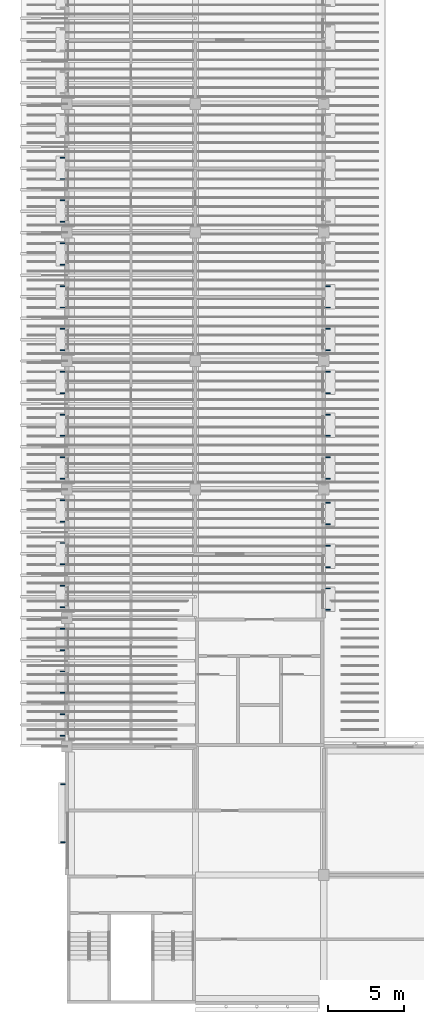
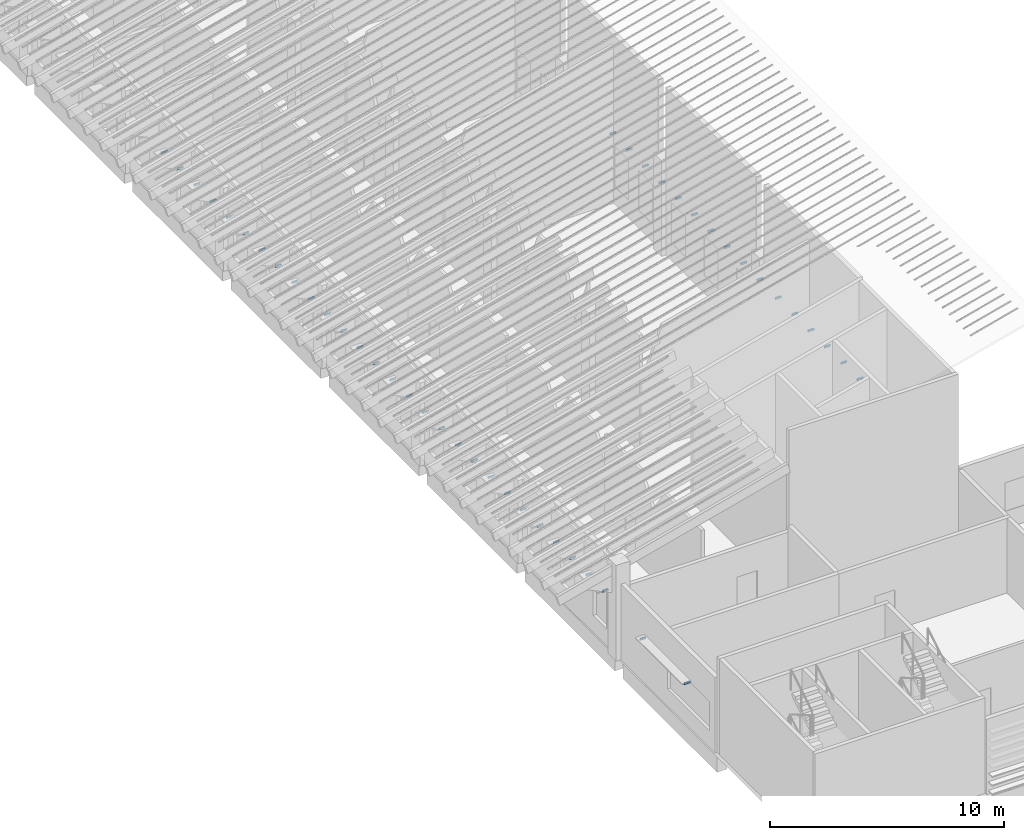
# One storey, part 34 of 82: 46 discrete accessories.
"""IFC4 building model written with IfcOpenShell, lengths in metres."""

from ifc_helpers import new_model, si_unit, direction, frame, origin, origin_2d, place, context, subcontext, project, spatial, rectangle, extrude, material, type_object, element, save


model = new_model("IFC4")

# Units and contexts
model_context = context("Model", 3, precision=1e-05, world=origin(), true_north=direction((0.0, 1.0)))
body_context = subcontext(model_context, "Body", "Model", "MODEL_VIEW")
ifc_project = project(units=[si_unit("LENGTHUNIT", "METRE"), si_unit("AREAUNIT", "SQUARE_METRE"), si_unit("VOLUMEUNIT", "CUBIC_METRE"), si_unit("PLANEANGLEUNIT", "RADIAN"), si_unit("MASSUNIT", "GRAM", prefix="KILO")], contexts=[model_context])

# Site, building, storey
site_placement = place(None, origin())
site = spatial("IfcSite", under=ifc_project, at=site_placement, CompositionType="ELEMENT")
building_placement = place(site_placement, origin())
building = spatial("IfcBuilding", under=site, at=building_placement, Name="Almond Square Museum", CompositionType="ELEMENT")
storey_placement = place(building_placement, frame((0.0, 0.0, 20.0)))
storey = spatial("IfcBuildingStorey", under=building, at=storey_placement, Name="L03", CompositionType="ELEMENT", Elevation=20.0)

# Discrete accessories
ifc_material = material(Name="Stainless steel", Category="steel")
discrete_accessory_type = type_object("IfcDiscreteAccessoryType", Name="Sun-shade blade bracket", PredefinedType="BRACKET", material=ifc_material)
for number, where, z_axis, x_axis, name in (
    (1, (23.072998046875, 25.72509765625, 2.9970703125), (0.0, 0.0, 1.0), (1.0, 0.0, 0.0), "Bracket sun-shade blade"),
    (2, (23.072998046875, 27.125, 2.9970703125), (0.0, 0.0, 1.0), (1.0, 0.0, 0.0), "Bracket sun-shade blade"),
    (3, (23.072998046875, 28.52490234375, 2.9970703125), (0.0, 0.0, 1.0), (1.0, 0.0, 0.0), "Bracket sun-shade blade"),
    (4, (23.072998046875, 29.925048828125, 2.9970703125), (0.0, 0.0, 1.0), (1.0, 0.0, 0.0), "Bracket sun-shade blade"),
    (5, (23.072998046875, 31.324951171875, 2.9970703125), (0.0, 0.0, 1.0), (1.0, 0.0, 0.0), "Bracket sun-shade blade"),
    (6, (23.072998046875, 32.72509765625, 2.9970703125), (0.0, 0.0, 1.0), (1.0, 0.0, 0.0), "Bracket sun-shade blade"),
    (7, (23.072998046875, 34.300048828125, 2.9970703125), (0.0, 0.0, 1.0), (1.0, 0.0, 0.0), "Bracket sun-shade blade"),
    (8, (23.072998046875, 35.699951171875, 2.9970703125), (0.0, 0.0, 1.0), (1.0, 0.0, 0.0), "Bracket sun-shade blade"),
    (9, (23.072998046875, 37.10009765625, 2.9970703125), (0.0, 0.0, 1.0), (1.0, 0.0, 0.0), "Bracket sun-shade blade"),
    (10, (23.072998046875, 38.5, 2.9970703125), (0.0, 0.0, 1.0), (1.0, 0.0, 0.0), "Bracket sun-shade blade"),
    (11, (23.072998046875, 39.89990234375, 2.9970703125), (0.0, 0.0, 1.0), (1.0, 0.0, 0.0), "Bracket sun-shade blade"),
    (12, (23.072998046875, 41.300048828125, 2.9970703125), (0.0, 0.0, 1.0), (1.0, 0.0, 0.0), "Bracket sun-shade blade"),
    (13, (23.072998046875, 42.699951171875, 2.9970703125), (0.0, 0.0, 1.0), (1.0, 0.0, 0.0), "Bracket sun-shade blade"),
    (14, (23.072998046875, 44.10009765625, 2.9970703125), (0.0, 0.0, 1.0), (1.0, 0.0, 0.0), "Bracket sun-shade blade"),
    (15, (23.072998046875, 45.5, 2.9970703125), (0.0, 0.0, 1.0), (1.0, 0.0, 0.0), "Bracket sun-shade blade"),
    (16, (23.072998046875, 46.89990234375, 2.9970703125), (0.0, 0.0, 1.0), (1.0, 0.0, 0.0), "Bracket sun-shade blade"),
    (17, (5.72705078125, 51.10009765625, 2.9970703125), (0.0, 0.0, 1.0), (1.0, 0.0, 0.0), "Bracket sun-shade blade"),
    (18, (5.72705078125, 52.5, 2.9970703125), (0.0, 0.0, 1.0), (1.0, 0.0, 0.0), "Bracket sun-shade blade"),
    (19, (5.72705078125, 53.89990234375, 2.9970703125), (0.0, 0.0, 1.0), (1.0, 0.0, 0.0), "Bracket sun-shade blade"),
    (20, (5.72705078125, 55.300048828125, 2.9970703125), (0.0, 0.0, 1.0), (1.0, 0.0, 0.0), "Bracket sun-shade blade"),
    (21, (5.72705078125, 42.699951171875, 2.9970703125), (0.0, 0.0, 1.0), (1.0, 0.0, 0.0), "Bracket sun-shade blade"),
    (22, (5.72705078125, 44.10009765625, 2.9970703125), (0.0, 0.0, 1.0), (1.0, 0.0, 0.0), "Bracket sun-shade blade"),
    (23, (5.72705078125, 45.5, 2.9970703125), (0.0, 0.0, 1.0), (1.0, 0.0, 0.0), "Bracket sun-shade blade"),
    (24, (5.72705078125, 46.89990234375, 2.9970703125), (0.0, 0.0, 1.0), (1.0, 0.0, 0.0), "Bracket sun-shade blade"),
    (25, (5.72705078125, 48.300048828125, 2.9970703125), (0.0, 0.0, 1.0), (1.0, 0.0, 0.0), "Bracket sun-shade blade"),
    (26, (5.72705078125, 49.699951171875, 2.9970703125), (0.0, 0.0, 1.0), (1.0, 0.0, 0.0), "Bracket sun-shade blade"),
    (27, (5.72705078125, 34.300048828125, 2.9970703125), (0.0, 0.0, 1.0), (1.0, 0.0, 0.0), "Bracket sun-shade blade"),
    (28, (5.72705078125, 35.699951171875, 2.9970703125), (0.0, 0.0, 1.0), (1.0, 0.0, 0.0), "Bracket sun-shade blade"),
    (29, (5.72705078125, 37.10009765625, 2.9970703125), (0.0, 0.0, 1.0), (1.0, 0.0, 0.0), "Bracket sun-shade blade"),
    (30, (5.72705078125, 38.5, 2.9970703125), (0.0, 0.0, 1.0), (1.0, 0.0, 0.0), "Bracket sun-shade blade"),
    (31, (5.72705078125, 39.89990234375, 2.9970703125), (0.0, 0.0, 1.0), (1.0, 0.0, 0.0), "Bracket sun-shade blade"),
    (32, (5.72705078125, 41.300048828125, 2.9970703125), (0.0, 0.0, 1.0), (1.0, 0.0, 0.0), "Bracket sun-shade blade"),
    (33, (5.72705078125, 25.89990234375, 2.9970703125), (0.0, 0.0, 1.0), (1.0, 0.0, 0.0), "Bracket sun-shade blade"),
    (34, (5.72705078125, 27.300048828125, 2.9970703125), (0.0, 0.0, 1.0), (1.0, 0.0, 0.0), "Bracket sun-shade blade"),
    (35, (5.72705078125, 28.699951171875, 2.9970703125), (0.0, 0.0, 1.0), (1.0, 0.0, 0.0), "Bracket sun-shade blade"),
    (36, (5.72705078125, 30.10009765625, 2.9970703125), (0.0, 0.0, 1.0), (1.0, 0.0, 0.0), "Bracket sun-shade blade"),
    (37, (5.72705078125, 31.5, 2.9970703125), (0.0, 0.0, 1.0), (1.0, 0.0, 0.0), "Bracket sun-shade blade"),
    (38, (5.72705078125, 32.89990234375, 2.9970703125), (0.0, 0.0, 1.0), (1.0, 0.0, 0.0), "Bracket sun-shade blade"),
    (39, (5.72705078125, 17.5, 2.9970703125), (0.0, 0.0, 1.0), (1.0, 0.0, 0.0), "Bracket sun-shade blade"),
    (40, (5.72705078125, 18.89990234375, 2.9970703125), (0.0, 0.0, 1.0), (1.0, 0.0, 0.0), "Bracket sun-shade blade"),
    (41, (5.72705078125, 20.300048828125, 2.9970703125), (0.0, 0.0, 1.0), (1.0, 0.0, 0.0), "Bracket sun-shade blade"),
    (42, (5.72705078125, 21.699951171875, 2.9970703125), (0.0, 0.0, 1.0), (1.0, 0.0, 0.0), "Bracket sun-shade blade"),
    (43, (5.72705078125, 23.10009765625, 2.9970703125), (0.0, 0.0, 1.0), (1.0, 0.0, 0.0), "Bracket sun-shade blade"),
    (44, (5.72705078125, 24.5, 2.9970703125), (0.0, 0.0, 1.0), (1.0, 0.0, 0.0), "Bracket sun-shade blade"),
    (45, (5.741943359375, 10.52490234375, 2.39697265625), (0.0, 0.0, 1.0), (1.0, 0.0, 0.0), "Bracket sun-shade blade"),
    (46, (5.741943359375, 14.324951171875, 2.39697265625), (0.0, 0.0, 1.0), (1.0, 0.0, 0.0), "Bracket sun-shade blade"),
):
    element("IfcDiscreteAccessory", number, at=place(storey_placement, frame(where, z_axis=z_axis, x_axis=x_axis)), inside=storey, type_object=discrete_accessory_type, Name=name, PredefinedType="BRACKET", context=body_context, shape_type="SweptSolid", body=[
        extrude(rectangle(XDim=0.300048828125, YDim=0.06005859375, at=origin_2d()), origin(), (0.0, 0.0, 1.0), 0.10009765625),
    ])

save(model, "model.ifc")
